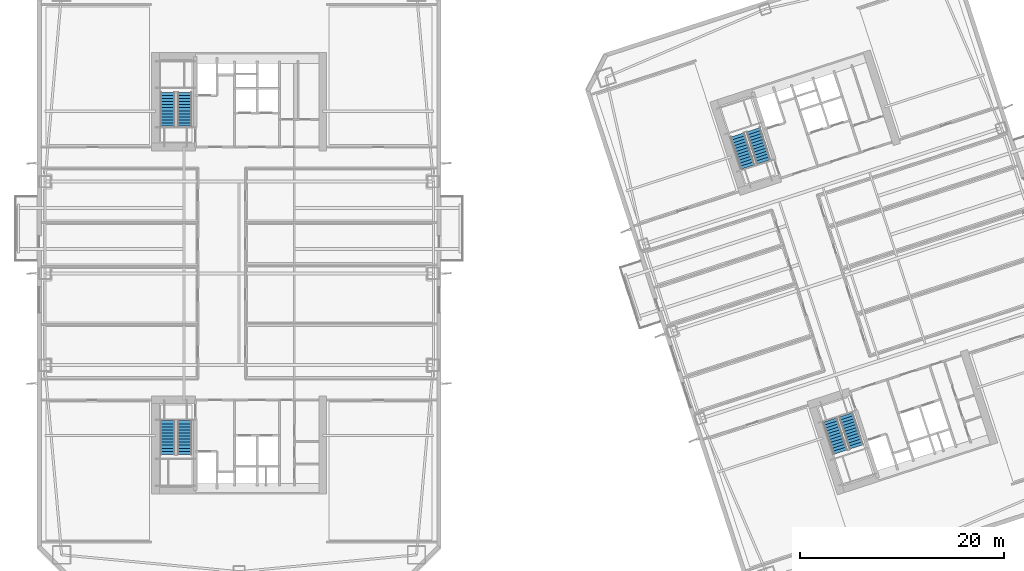
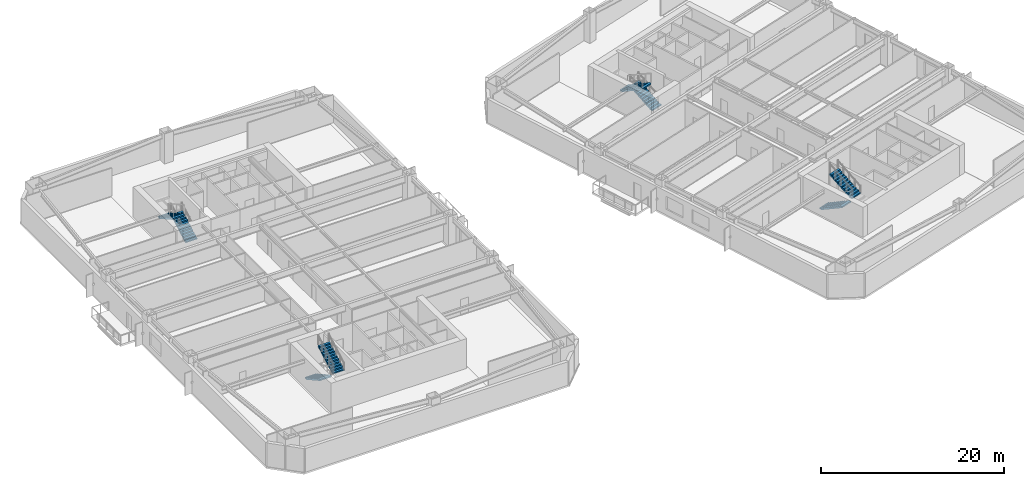
# One storey, part 10 of 21: 8 stair flights, 4 elements without a shape of their own.
"""IFC4 building model written with IfcOpenShell, lengths in metres."""

from ifc_helpers import new_model, si_unit, direction, frame, origin, place, context, subcontext, project, spatial, polyline, outline, extrude, material, type_object, element, aggregate, save


model = new_model("IFC4")

# Units and contexts
model_context = context("Model", 3, precision=1e-05, world=origin(), true_north=direction((0.0, 1.0)))
body_context = subcontext(model_context, "Body", "Model", "MODEL_VIEW")
ifc_project = project(units=[si_unit("LENGTHUNIT", "METRE"), si_unit("AREAUNIT", "SQUARE_METRE"), si_unit("VOLUMEUNIT", "CUBIC_METRE"), si_unit("PLANEANGLEUNIT", "RADIAN"), si_unit("MASSUNIT", "GRAM", prefix="KILO")], contexts=[model_context])

# Site, building, storey
site_placement = place(None, origin())
site = spatial("IfcSite", under=ifc_project, at=site_placement, CompositionType="ELEMENT")
building_placement = place(site_placement, origin())
building = spatial("IfcBuilding", under=site, at=building_placement, Name="Qiaolan Cultural Towers", CompositionType="ELEMENT")
storey_placement = place(building_placement, frame((0.0, 0.0, 34.0)))
storey = spatial("IfcBuildingStorey", under=building, at=storey_placement, Name="L07", CompositionType="ELEMENT", Elevation=34.0)

# Stair, stair flights
ifc_material_1 = material(Name="Concrete C45", Category="concrete")
stair_type = type_object("IfcStairType", Name="STR-CORE-1500", PredefinedType="HALF_TURN_STAIR", material=ifc_material_1)
stair_1_placement = place(storey_placement, origin())
stair_1 = element("IfcStair", 1, at=stair_1_placement, inside=storey, type_object=stair_type, Name="L07 Smokeproof Exit Stair ST-W1", PredefinedType="HALF_TURN_STAIR")
ifc_material_2 = material(Name="Concrete C45", Category="concrete")
stair_flight_type = type_object("IfcStairFlightType", Name="STR-CORE-1500-FL", PredefinedType="STRAIGHT", material=ifc_material_2)
stair_flight_1_placement = place(storey_placement, frame((23.02001953125, 19.550048828125, 0.0), z_axis=(0.0, 0.0, 1.0), x_axis=(0.0, -1.0, 0.0)))
stair_flight_1 = element("IfcStairFlight", 2, at=stair_flight_1_placement, type_object=stair_flight_type, Name="ST-W1 flight 1", NumberOfRisers=12, NumberOfTreads=11, PredefinedType="STRAIGHT", RiserHeight=0.166666667, TreadLength=0.3, context=body_context, shape_type="SweptSolid", body=[
    extrude(outline(polyline([(0.0, 0.0), (0.0, 0.166748046875), (0.300048828125, 0.166748046875), (0.300048828125, 0.333251953125), (0.60009765625, 0.333251953125), (0.60009765625, 0.5), (0.89990234375, 0.5), (0.89990234375, 0.666748046875), (1.199951171875, 0.666748046875), (1.199951171875, 0.833251953125), (1.5, 0.833251953125), (1.5, 1.0), (1.800048828125, 1.0), (1.800048828125, 1.166748046875), (2.10009765625, 1.166748046875), (2.10009765625, 1.333251953125), (2.39990234375, 1.333251953125), (2.39990234375, 1.5), (2.699951171875, 1.5), (2.699951171875, 1.666748046875), (3.0, 1.666748046875), (3.0, 1.833251953125), (3.300048828125, 1.833251953125), (3.300048828125, 2.0), (3.300048828125, 1.661865234375), (0.30859375, 0.0), (0.0, 0.0)])), frame((0.0, 0.719970703125, 0.0), z_axis=(0.0, -1.0, 0.0), x_axis=(1.0, 0.0, 0.0)), (0.0, 0.0, 1.0), 1.43994140625),
])
stair_flight_2_placement = place(storey_placement, frame((24.659912109375, 16.25, 2.0), z_axis=(0.0, 0.0, 1.0), x_axis=(0.0, 1.0, 0.0)))
stair_flight_2 = element("IfcStairFlight", 3, at=stair_flight_2_placement, type_object=stair_flight_type, Name="ST-W1 flight 2", NumberOfRisers=12, NumberOfTreads=11, PredefinedType="STRAIGHT", RiserHeight=0.166666667, TreadLength=0.3, context=body_context, shape_type="SweptSolid", body=[
    extrude(outline(polyline([(0.0, 0.0), (0.0, 0.166748046875), (0.300048828125, 0.166748046875), (0.300048828125, 0.333251953125), (0.60009765625, 0.333251953125), (0.60009765625, 0.5), (0.89990234375, 0.5), (0.89990234375, 0.666748046875), (1.199951171875, 0.666748046875), (1.199951171875, 0.833251953125), (1.5, 0.833251953125), (1.5, 1.0), (1.800048828125, 1.0), (1.800048828125, 1.166748046875), (2.10009765625, 1.166748046875), (2.10009765625, 1.333251953125), (2.39990234375, 1.333251953125), (2.39990234375, 1.5), (2.699951171875, 1.5), (2.699951171875, 1.666748046875), (3.0, 1.666748046875), (3.0, 1.833251953125), (3.300048828125, 1.833251953125), (3.300048828125, 2.0), (3.300048828125, 1.661865234375), (0.30859375, 0.0), (0.0, 0.0)])), frame((0.0, 0.719970703125, 0.0), z_axis=(0.0, -1.0, 0.0), x_axis=(1.0, 0.0, 0.0)), (0.0, 0.0, 1.0), 1.43994140625),
])
aggregate(stair_1, [stair_flight_1, stair_flight_2])

stair_2_placement = place(storey_placement, origin())
stair_2 = element("IfcStair", 4, at=stair_2_placement, inside=storey, type_object=stair_type, Name="L07 Smokeproof Exit Stair ST-W2", PredefinedType="HALF_TURN_STAIR")
stair_flight_3_placement = place(storey_placement, frame((24.659912109375, 48.449951171875, 0.0), z_axis=(0.0, 0.0, 1.0), x_axis=(0.0, 1.0, 0.0)))
stair_flight_3 = element("IfcStairFlight", 5, at=stair_flight_3_placement, type_object=stair_flight_type, Name="ST-W2 flight 1", NumberOfRisers=12, NumberOfTreads=11, PredefinedType="STRAIGHT", RiserHeight=0.166666667, TreadLength=0.3, context=body_context, shape_type="SweptSolid", body=[
    extrude(outline(polyline([(0.0, 0.0), (0.0, 0.166748046875), (0.300048828125, 0.166748046875), (0.300048828125, 0.333251953125), (0.60009765625, 0.333251953125), (0.60009765625, 0.5), (0.89990234375, 0.5), (0.89990234375, 0.666748046875), (1.199951171875, 0.666748046875), (1.199951171875, 0.833251953125), (1.5, 0.833251953125), (1.5, 1.0), (1.800048828125, 1.0), (1.800048828125, 1.166748046875), (2.10009765625, 1.166748046875), (2.10009765625, 1.333251953125), (2.39990234375, 1.333251953125), (2.39990234375, 1.5), (2.699951171875, 1.5), (2.699951171875, 1.666748046875), (3.0, 1.666748046875), (3.0, 1.833251953125), (3.300048828125, 1.833251953125), (3.300048828125, 2.0), (3.300048828125, 1.661865234375), (0.30859375, 0.0), (0.0, 0.0)])), frame((0.0, 0.719970703125, 0.0), z_axis=(0.0, -1.0, 0.0), x_axis=(1.0, 0.0, 0.0)), (0.0, 0.0, 1.0), 1.43994140625),
])
stair_flight_4_placement = place(storey_placement, frame((23.02001953125, 51.75, 2.0), z_axis=(0.0, 0.0, 1.0), x_axis=(0.0, -1.0, 0.0)))
stair_flight_4 = element("IfcStairFlight", 6, at=stair_flight_4_placement, type_object=stair_flight_type, Name="ST-W2 flight 2", NumberOfRisers=12, NumberOfTreads=11, PredefinedType="STRAIGHT", RiserHeight=0.166666667, TreadLength=0.3, context=body_context, shape_type="SweptSolid", body=[
    extrude(outline(polyline([(0.0, 0.0), (0.0, 0.166748046875), (0.300048828125, 0.166748046875), (0.300048828125, 0.333251953125), (0.60009765625, 0.333251953125), (0.60009765625, 0.5), (0.89990234375, 0.5), (0.89990234375, 0.666748046875), (1.199951171875, 0.666748046875), (1.199951171875, 0.833251953125), (1.5, 0.833251953125), (1.5, 1.0), (1.800048828125, 1.0), (1.800048828125, 1.166748046875), (2.10009765625, 1.166748046875), (2.10009765625, 1.333251953125), (2.39990234375, 1.333251953125), (2.39990234375, 1.5), (2.699951171875, 1.5), (2.699951171875, 1.666748046875), (3.0, 1.666748046875), (3.0, 1.833251953125), (3.300048828125, 1.833251953125), (3.300048828125, 2.0), (3.300048828125, 1.661865234375), (0.30859375, 0.0), (0.0, 0.0)])), frame((0.0, 0.719970703125, 0.0), z_axis=(0.0, -1.0, 0.0), x_axis=(1.0, 0.0, 0.0)), (0.0, 0.0, 1.0), 1.43994140625),
])
aggregate(stair_2, [stair_flight_3, stair_flight_4])

stair_3_placement = place(storey_placement, origin())
stair_3 = element("IfcStair", 7, at=stair_3_placement, inside=storey, type_object=stair_type, Name="L07 Smokeproof Exit Stair ST-E1", PredefinedType="HALF_TURN_STAIR")
stair_flight_5_placement = place(storey_placement, frame((87.96484375, 19.6171875, 0.0), z_axis=(0.0, 0.0, 1.0), x_axis=(0.309016994375, -0.951056516295, 0.0)))
stair_flight_5 = element("IfcStairFlight", 8, at=stair_flight_5_placement, type_object=stair_flight_type, Name="ST-E1 flight 1", NumberOfRisers=12, NumberOfTreads=11, PredefinedType="STRAIGHT", RiserHeight=0.166666667, TreadLength=0.3, context=body_context, shape_type="SweptSolid", body=[
    extrude(outline(polyline([(0.0, 0.0), (0.0, 0.166748046875), (0.300048828125, 0.166748046875), (0.300048828125, 0.333251953125), (0.60009765625, 0.333251953125), (0.60009765625, 0.5), (0.89990234375, 0.5), (0.89990234375, 0.666748046875), (1.199951171875, 0.666748046875), (1.199951171875, 0.833251953125), (1.5, 0.833251953125), (1.5, 1.0), (1.800048828125, 1.0), (1.800048828125, 1.166748046875), (2.10009765625, 1.166748046875), (2.10009765625, 1.333251953125), (2.39990234375, 1.333251953125), (2.39990234375, 1.5), (2.699951171875, 1.5), (2.699951171875, 1.666748046875), (3.0, 1.666748046875), (3.0, 1.833251953125), (3.300048828125, 1.833251953125), (3.300048828125, 2.0), (3.300048828125, 1.661865234375), (0.30859375, 0.0), (0.0, 0.0)])), frame((0.0, 0.719970703125, 0.0), z_axis=(0.0, -1.0, 0.0), x_axis=(1.0, 0.0, 0.0)), (0.0, 0.0, 1.0), 1.43994140625),
])
stair_flight_6_placement = place(storey_placement, frame((90.54443359375, 16.985595703125, 2.0), z_axis=(0.0, 0.0, 1.0), x_axis=(-0.309016994375, 0.951056516295, 0.0)))
stair_flight_6 = element("IfcStairFlight", 9, at=stair_flight_6_placement, type_object=stair_flight_type, Name="ST-E1 flight 2", NumberOfRisers=12, NumberOfTreads=11, PredefinedType="STRAIGHT", RiserHeight=0.166666667, TreadLength=0.3, context=body_context, shape_type="SweptSolid", body=[
    extrude(outline(polyline([(0.0, 0.0), (0.0, 0.166748046875), (0.300048828125, 0.166748046875), (0.300048828125, 0.333251953125), (0.60009765625, 0.333251953125), (0.60009765625, 0.5), (0.89990234375, 0.5), (0.89990234375, 0.666748046875), (1.199951171875, 0.666748046875), (1.199951171875, 0.833251953125), (1.5, 0.833251953125), (1.5, 1.0), (1.800048828125, 1.0), (1.800048828125, 1.166748046875), (2.10009765625, 1.166748046875), (2.10009765625, 1.333251953125), (2.39990234375, 1.333251953125), (2.39990234375, 1.5), (2.699951171875, 1.5), (2.699951171875, 1.666748046875), (3.0, 1.666748046875), (3.0, 1.833251953125), (3.300048828125, 1.833251953125), (3.300048828125, 2.0), (3.300048828125, 1.661865234375), (0.30859375, 0.0), (0.0, 0.0)])), frame((0.0, 0.719970703125, 0.0), z_axis=(0.0, -1.0, 0.0), x_axis=(1.0, 0.0, 0.0)), (0.0, 0.0, 1.0), 1.43994140625),
])
aggregate(stair_3, [stair_flight_5, stair_flight_6])

stair_4_placement = place(storey_placement, origin())
stair_4 = element("IfcStair", 10, at=stair_4_placement, inside=storey, type_object=stair_type, Name="L07 Smokeproof Exit Stair ST-E2", PredefinedType="HALF_TURN_STAIR")
stair_flight_7_placement = place(storey_placement, frame((81.459228515625, 44.946533203125, 0.0), z_axis=(0.0, 0.0, 1.0), x_axis=(-0.309016994375, 0.951056516295, 0.0)))
stair_flight_7 = element("IfcStairFlight", 11, at=stair_flight_7_placement, type_object=stair_flight_type, Name="ST-E2 flight 1", NumberOfRisers=12, NumberOfTreads=11, PredefinedType="STRAIGHT", RiserHeight=0.166666667, TreadLength=0.3, context=body_context, shape_type="SweptSolid", body=[
    extrude(outline(polyline([(0.0, 0.0), (0.0, 0.166748046875), (0.300048828125, 0.166748046875), (0.300048828125, 0.333251953125), (0.60009765625, 0.333251953125), (0.60009765625, 0.5), (0.89990234375, 0.5), (0.89990234375, 0.666748046875), (1.199951171875, 0.666748046875), (1.199951171875, 0.833251953125), (1.5, 0.833251953125), (1.5, 1.0), (1.800048828125, 1.0), (1.800048828125, 1.166748046875), (2.10009765625, 1.166748046875), (2.10009765625, 1.333251953125), (2.39990234375, 1.333251953125), (2.39990234375, 1.5), (2.699951171875, 1.5), (2.699951171875, 1.666748046875), (3.0, 1.666748046875), (3.0, 1.833251953125), (3.300048828125, 1.833251953125), (3.300048828125, 2.0), (3.300048828125, 1.661865234375), (0.30859375, 0.0), (0.0, 0.0)])), frame((0.0, 0.719970703125, 0.0), z_axis=(0.0, -1.0, 0.0), x_axis=(1.0, 0.0, 0.0)), (0.0, 0.0, 1.0), 1.43994140625),
])
stair_flight_8_placement = place(storey_placement, frame((78.8798828125, 47.578125, 2.0), z_axis=(0.0, 0.0, 1.0), x_axis=(0.309016994375, -0.951056516295, 0.0)))
stair_flight_8 = element("IfcStairFlight", 12, at=stair_flight_8_placement, type_object=stair_flight_type, Name="ST-E2 flight 2", NumberOfRisers=12, NumberOfTreads=11, PredefinedType="STRAIGHT", RiserHeight=0.166666667, TreadLength=0.3, context=body_context, shape_type="SweptSolid", body=[
    extrude(outline(polyline([(0.0, 0.0), (0.0, 0.166748046875), (0.300048828125, 0.166748046875), (0.300048828125, 0.333251953125), (0.60009765625, 0.333251953125), (0.60009765625, 0.5), (0.89990234375, 0.5), (0.89990234375, 0.666748046875), (1.199951171875, 0.666748046875), (1.199951171875, 0.833251953125), (1.5, 0.833251953125), (1.5, 1.0), (1.800048828125, 1.0), (1.800048828125, 1.166748046875), (2.10009765625, 1.166748046875), (2.10009765625, 1.333251953125), (2.39990234375, 1.333251953125), (2.39990234375, 1.5), (2.699951171875, 1.5), (2.699951171875, 1.666748046875), (3.0, 1.666748046875), (3.0, 1.833251953125), (3.300048828125, 1.833251953125), (3.300048828125, 2.0), (3.300048828125, 1.661865234375), (0.30859375, 0.0), (0.0, 0.0)])), frame((0.0, 0.719970703125, 0.0), z_axis=(0.0, -1.0, 0.0), x_axis=(1.0, 0.0, 0.0)), (0.0, 0.0, 1.0), 1.43994140625),
])
aggregate(stair_4, [stair_flight_7, stair_flight_8])

save(model, "model.ifc")
